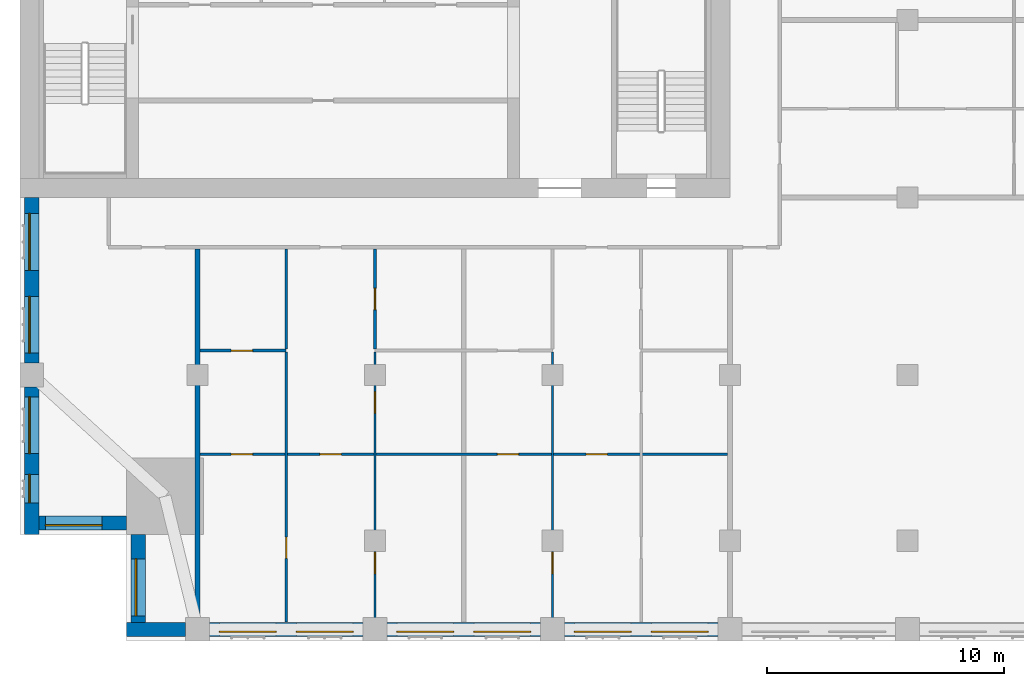
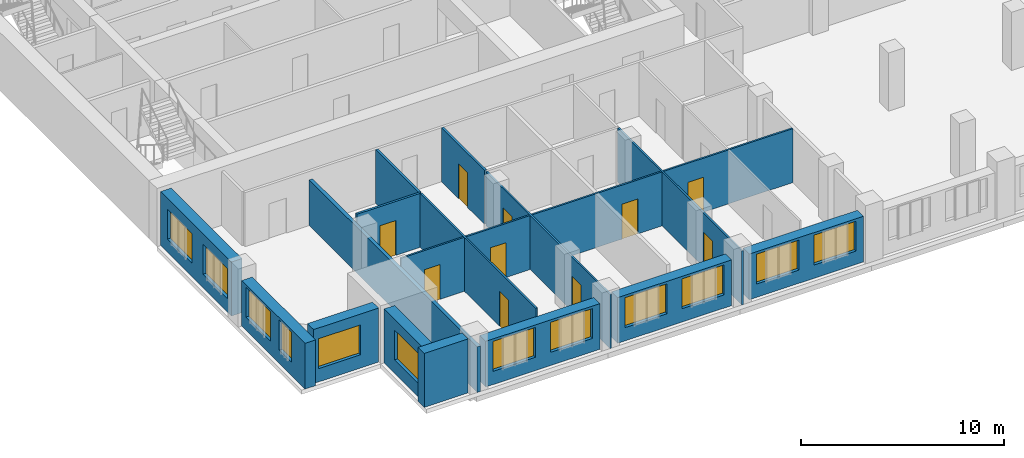
# One storey, part 6 of 14: 16 walls, 12 windows, 10 doors, 22 openings.
"""IFC4 building model written with IfcOpenShell, lengths in metres."""

import ifcopenshell
import ifcopenshell.guid

model = None  # the IFC model being written
_history = None  # IfcOwnerHistory: only IFC2X3 demands one
_inside = {}  # id of a spatial element -> (the spatial element, [elements in it])
_under = {}  # id of a project, library or spatial element -> (it, [spatial elements below it])
_declared = {}  # id of a project -> (the project, [libraries it declares])
_typed = {}  # id of a type object -> (the type object, [elements of that type])
_made_of = {}  # id of a material, layer set ... -> (it, [elements and type objects made of it])


def new_model(schema):
    """Start an empty IFC model of exactly this schema.

    Asked for "IFC4X3", IfcOpenShell would pick the latest addendum, in which some entities
    have other attributes; the version numbers below select the first issue.
    IFC2X3 requires an IfcOwnerHistory on every rooted entity: one is made here for all.
    """
    global model, _history
    if schema == "IFC4X3":
        model = ifcopenshell.file(schema_version=(4, 3, 0, 0))
    else:
        model = ifcopenshell.file(schema=schema)
    _inside.clear()
    _under.clear()
    _declared.clear()
    _typed.clear()
    _made_of.clear()
    _history = None
    if model.schema == "IFC2X3":
        org = make("IfcOrganization", Name="unknown")
        user = make(
            "IfcPersonAndOrganization",
            ThePerson=make("IfcPerson", FamilyName="unknown"),
            TheOrganization=org,
        )
        app = make(
            "IfcApplication",
            ApplicationDeveloper=org,
            Version="unknown",
            ApplicationFullName="unknown",
            ApplicationIdentifier="unknown",
        )
        _history = make(
            "IfcOwnerHistory",
            OwningUser=user,
            OwningApplication=app,
            ChangeAction="ADDED",
            CreationDate=0,
        )
    return model


def make(cls, **values):
    """One entity of the class cls with the attributes given. An attribute that is None is left unset."""
    return model.create_entity(
        cls, **{name: value for name, value in values.items() if value is not None}
    )


def rooted(cls, **values):
    """An entity with a GlobalId (a new one), such as an element, a storey or a relation."""
    return make(cls, GlobalId=ifcopenshell.guid.new(), OwnerHistory=_history, **values)


def si_unit(unit_type, name, prefix=None):
    """IfcSIUnit, for example si_unit("LENGTHUNIT", "METRE", prefix="MILLI")."""
    return make("IfcSIUnit", UnitType=unit_type, Prefix=prefix, Name=name)


def assignment(units):
    """IfcUnitAssignment: the units of a project."""
    return None if units is None else make("IfcUnitAssignment", Units=units)


def point(xyz):
    """IfcCartesianPoint."""
    return None if xyz is None else make("IfcCartesianPoint", Coordinates=xyz)


def direction(xyz):
    """IfcDirection."""
    return None if xyz is None else make("IfcDirection", DirectionRatios=xyz)


def frame(location, z_axis=None, x_axis=None):
    """IfcAxis2Placement3D, a coordinate frame: its origin and axes. An axis left out is left unset."""
    return make(
        "IfcAxis2Placement3D",
        Location=point(location),
        Axis=direction(z_axis),
        RefDirection=direction(x_axis),
    )


def frame_2d(location, x_axis=None):
    """IfcAxis2Placement2D, a coordinate frame in the plane: its origin and x axis."""
    return make(
        "IfcAxis2Placement2D", Location=point(location), RefDirection=direction(x_axis)
    )


def origin():
    """The frame at (0, 0, 0) with its axes left unset."""
    return frame((0.0, 0.0, 0.0))


def place(relative_to, where):
    """IfcLocalPlacement: puts the frame where relative to a parent placement (None: the world)."""
    return make(
        "IfcLocalPlacement", PlacementRelTo=relative_to, RelativePlacement=where
    )


def context(
    kind, dimensions, precision=None, world=None, true_north=None, identifier=None
):
    """IfcGeometricRepresentationContext, for example the 3D "Model" context."""
    return make(
        "IfcGeometricRepresentationContext",
        ContextIdentifier=identifier,
        ContextType=kind,
        CoordinateSpaceDimension=dimensions,
        Precision=precision,
        WorldCoordinateSystem=world,
        TrueNorth=true_north,
    )


def subcontext(parent, identifier, kind, view, scale=None):
    """IfcGeometricRepresentationSubContext, for example "Body" below "Model"."""
    return make(
        "IfcGeometricRepresentationSubContext",
        ContextIdentifier=identifier,
        ContextType=kind,
        ParentContext=parent,
        TargetScale=scale,
        TargetView=view,
    )


def project(units=None, contexts=None):
    """IfcProject with its units and contexts."""
    return rooted(
        "IfcProject",
        Name="project",
        RepresentationContexts=contexts,
        UnitsInContext=assignment(units),
    )


def spatial(cls, under=None, at=None, **own):
    """A site, building, storey or space (cls), placed at a placement, below another one or the project."""
    s = rooted(cls, ObjectPlacement=at, **own)
    if under is not None:
        _under.setdefault(under.id(), (under, []))[1].append(s)
    return s


def profile(cls, at=None, kind="AREA", **sizes):
    """A parametric profile (cls). Its sizes go by their IFC names, for example OverallWidth=200.0."""
    return make(cls, ProfileType=kind, Position=at, **sizes)


def rectangle(**sizes):
    """IfcRectangleProfileDef."""
    return profile("IfcRectangleProfileDef", **sizes)


def extrude(swept, where, along, depth):
    """IfcExtrudedAreaSolid: the profile swept, set in the frame where, extruded along a direction by depth."""
    return make(
        "IfcExtrudedAreaSolid",
        SweptArea=swept,
        Position=where,
        ExtrudedDirection=direction(along),
        Depth=depth,
    )


def shape(context_of_items, identifier, shape_type, items):
    """IfcShapeRepresentation: the items that make up one representation, for example the "Body"."""
    return make(
        "IfcShapeRepresentation",
        ContextOfItems=context_of_items,
        RepresentationIdentifier=identifier,
        RepresentationType=shape_type,
        Items=items,
    )


def material(Name=None, Category=None):
    """IfcMaterial."""
    return make("IfcMaterial", Name=Name, Category=Category)


def layer(
    of_material, thickness, ventilated=None, Name=None, Category=None, Priority=None
):
    """IfcMaterialLayer: one layer of a wall or slab, of a material (None: an air gap)."""
    return make(
        "IfcMaterialLayer",
        Material=of_material,
        LayerThickness=thickness,
        IsVentilated=ventilated,
        Name=Name,
        Category=Category,
        Priority=Priority,
    )


def layer_set(layers, Name=None):
    """IfcMaterialLayerSet."""
    return make("IfcMaterialLayerSet", MaterialLayers=layers, LayerSetName=Name)


def made_of(thing, what):
    """Note that an element or type object is made of a material, layer set ...; save() writes the relation."""
    if what is not None:
        _made_of.setdefault(what.id(), (what, []))[1].append(thing)
    return thing


def type_object(cls, material=None, **own):
    """A type object (cls), such as IfcWallType, which elements share."""
    return made_of(rooted(cls, **own), material)


def element(
    cls,
    number,
    at=None,
    inside=None,
    cuts=None,
    type_object=None,
    material=None,
    context=None,
    identifier="Body",
    shape_type=None,
    held_by="IfcProductDefinitionShape",
    body=None,
    shapes=None,
    **own,
):
    """One element of the class cls, such as IfcWall. Its Tag is "e" and its number.

    at: its placement. inside: the storey or other place that contains it. cuts: it is an
    opening in that element (IfcRelVoidsElement). A single representation is given by context,
    identifier, shape_type and body (its items); several are given by shapes. held_by: the class
    of the entity that holds the representations. save() writes the other relations.
    """
    e = rooted(cls, Tag="e%d" % number, ObjectPlacement=at, **own)
    if body is not None:
        shapes = [shape(context, identifier, shape_type, body)]
    if shapes is not None:
        e.Representation = make(held_by, Representations=shapes)
    if inside is not None:
        _inside.setdefault(inside.id(), (inside, []))[1].append(e)
    if cuts is not None:
        rooted(
            "IfcRelVoidsElement", RelatingBuildingElement=cuts, RelatedOpeningElement=e
        )
    if type_object is not None:
        _typed.setdefault(type_object.id(), (type_object, []))[1].append(e)
    return made_of(e, material)


def fill(opening, filler):
    """IfcRelFillsElement: the door or window that sits in an opening."""
    return rooted(
        "IfcRelFillsElement",
        RelatingOpeningElement=opening,
        RelatedBuildingElement=filler,
    )


def aggregate(whole, parts):
    """IfcRelAggregates: a whole, such as a stair, and the parts it consists of."""
    return rooted("IfcRelAggregates", RelatingObject=whole, RelatedObjects=parts)


def save(model, path):
    """Write the relations noted so far, then the file.

    IfcRelAggregates (storeys below a building ...), IfcRelContainedInSpatialStructure (elements
    in a storey), IfcRelDefinesByType, IfcRelAssociatesMaterial and IfcRelDeclares: one each for
    every whole, place, type object, material and project.
    """
    for whole, parts in _under.values():
        aggregate(whole, parts)
    for where, things in _inside.values():
        rooted(
            "IfcRelContainedInSpatialStructure",
            RelatedElements=things,
            RelatingStructure=where,
        )
    for kind, things in _typed.values():
        rooted("IfcRelDefinesByType", RelatedObjects=things, RelatingType=kind)
    for what, things in _made_of.values():
        rooted("IfcRelAssociatesMaterial", RelatedObjects=things, RelatingMaterial=what)
    for by, libraries in _declared.values():
        rooted("IfcRelDeclares", RelatingContext=by, RelatedDefinitions=libraries)
    model.write(path)


model = new_model("IFC4")

# Units and contexts
model_context = context("Model", 3, precision=1e-05, world=origin(), true_north=direction((0.0, 1.0)))
body_context = subcontext(model_context, "Body", "Model", "MODEL_VIEW")
ifc_project = project(units=[si_unit("LENGTHUNIT", "METRE"), si_unit("AREAUNIT", "SQUARE_METRE"), si_unit("VOLUMEUNIT", "CUBIC_METRE"), si_unit("PLANEANGLEUNIT", "RADIAN"), si_unit("MASSUNIT", "GRAM", prefix="KILO")], contexts=[model_context])

# Site, building, storey
site_placement = place(None, origin())
site = spatial("IfcSite", under=ifc_project, at=site_placement, CompositionType="ELEMENT")
building_placement = place(site_placement, origin())
building = spatial("IfcBuilding", under=site, at=building_placement, Name="Tamorin Gate", CompositionType="ELEMENT")
storey_placement = place(building_placement, frame((0.0, 0.0, 182.699951171875)))
storey = spatial("IfcBuildingStorey", under=building, at=storey_placement, Name="L44", CompositionType="ELEMENT", Elevation=182.699951171875)

# Wall
ifc_material_1 = material(Name="Precast concrete C40/50", Category="concrete")
ifc_layer_1 = layer(ifc_material_1, 0.60009765625)
ifc_layer_set_1 = layer_set([ifc_layer_1], Name="Precast concrete C40/50")
wall_type_1 = type_object("IfcWallType", Name="Board-marked concrete facade panel 600", PredefinedType="SOLIDWALL", material=ifc_layer_set_1)
wall_1_placement = place(storey_placement, frame((34.5, 41.75, 0.0), z_axis=(0.0, 0.0, 1.0), x_axis=(1.0, 0.0, 0.0)))
element("IfcWall", 1, at=wall_1_placement, inside=storey, type_object=wall_type_1, Name="Facade panel", PredefinedType="SOLIDWALL", context=body_context, shape_type="SweptSolid", body=[
    extrude(rectangle(XDim=2.5, YDim=0.60009765625, at=frame_2d((1.25, 0.0))), origin(), (0.0, 0.0, 1.0), 3.25),
])

# Wall, openings, windows
wall_2_placement = place(storey_placement, frame((38.0, 41.75, 0.0), z_axis=(0.0, 0.0, 1.0), x_axis=(1.0, 0.0, 0.0)))
wall_2 = element("IfcWall", 2, at=wall_2_placement, inside=storey, type_object=wall_type_1, Name="Facade panel", PredefinedType="SOLIDWALL", context=body_context, shape_type="SweptSolid", body=[
    extrude(rectangle(XDim=6.5, YDim=0.60009765625, at=frame_2d((3.25, 0.0))), origin(), (0.0, 0.0, 1.0), 2.75),
])
opening_1_placement = place(wall_2_placement, frame((0.425048828125, 0.0, 0.800048828125)))
opening_1 = element("IfcOpeningElement", 3, at=opening_1_placement, cuts=wall_2, Name="Opening WN1", PredefinedType="OPENING", context=body_context, shape_type="SweptSolid", body=[
    extrude(rectangle(XDim=2.39990234375, YDim=1.800048828125, at=frame_2d((1.199951171875, 0.89990234375))), frame((0.0, 0.31005859375, 0.0), z_axis=(0.0, -1.0, 0.0), x_axis=(1.0, 0.0, 0.0)), (0.0, 0.0, 1.0), 0.6201171875),
])
opening_2_placement = place(wall_2_placement, frame((3.675048828125, 0.0, 0.800048828125)))
opening_2 = element("IfcOpeningElement", 4, at=opening_2_placement, cuts=wall_2, Name="Opening WN1", PredefinedType="OPENING", context=body_context, shape_type="SweptSolid", body=[
    extrude(rectangle(XDim=2.39990234375, YDim=1.800048828125, at=frame_2d((1.199951171875, 0.89990234375))), frame((0.0, 0.31005859375, 0.0), z_axis=(0.0, -1.0, 0.0), x_axis=(1.0, 0.0, 0.0)), (0.0, 0.0, 1.0), 0.6201171875),
])
ifc_material_2 = material(Name="Clear glass in aluminium frame", Category="aluminium")
window_type_1 = type_object("IfcWindowType", Name="Deep-set window 2400x1800", PartitioningType="SINGLE_PANEL", PredefinedType="WINDOW", material=ifc_material_2)
window_1_placement = place(opening_1_placement, origin())
window_1 = element("IfcWindow", 5, at=window_1_placement, inside=storey, type_object=window_type_1, Name="Deep-set window", OverallHeight=1.800048828125, OverallWidth=2.39990234375, PartitioningType="SINGLE_PANEL", PredefinedType="WINDOW", context=body_context, shape_type="SweptSolid", body=[
    extrude(rectangle(XDim=2.39990234375, YDim=1.800048828125, at=frame_2d((1.199951171875, 0.89990234375))), frame((0.0, -0.070068359375, 0.0), z_axis=(0.0, -1.0, 0.0), x_axis=(1.0, 0.0, 0.0)), (0.0, 0.0, 1.0), 0.06005859375),
])
fill(opening_1, window_1)
window_2_placement = place(opening_2_placement, origin())
window_2 = element("IfcWindow", 6, at=window_2_placement, inside=storey, type_object=window_type_1, Name="Deep-set window", OverallHeight=1.800048828125, OverallWidth=2.39990234375, PartitioningType="SINGLE_PANEL", PredefinedType="WINDOW", context=body_context, shape_type="SweptSolid", body=[
    extrude(rectangle(XDim=2.39990234375, YDim=1.800048828125, at=frame_2d((1.199951171875, 0.89990234375))), frame((0.0, -0.070068359375, 0.0), z_axis=(0.0, -1.0, 0.0), x_axis=(1.0, 0.0, 0.0)), (0.0, 0.0, 1.0), 0.06005859375),
])
fill(opening_2, window_2)

wall_3_placement = place(storey_placement, frame((45.5, 41.75, 0.0), z_axis=(0.0, 0.0, 1.0), x_axis=(1.0, 0.0, 0.0)))
wall_3 = element("IfcWall", 7, at=wall_3_placement, inside=storey, type_object=wall_type_1, Name="Facade panel", PredefinedType="SOLIDWALL", context=body_context, shape_type="SweptSolid", body=[
    extrude(rectangle(XDim=6.5, YDim=0.60009765625, at=frame_2d((3.25, 0.0))), origin(), (0.0, 0.0, 1.0), 2.75),
])
opening_3_placement = place(wall_3_placement, frame((0.425048828125, 0.0, 0.800048828125)))
opening_3 = element("IfcOpeningElement", 8, at=opening_3_placement, cuts=wall_3, Name="Opening WN1", PredefinedType="OPENING", context=body_context, shape_type="SweptSolid", body=[
    extrude(rectangle(XDim=2.39990234375, YDim=1.800048828125, at=frame_2d((1.199951171875, 0.89990234375))), frame((0.0, 0.31005859375, 0.0), z_axis=(0.0, -1.0, 0.0), x_axis=(1.0, 0.0, 0.0)), (0.0, 0.0, 1.0), 0.6201171875),
])
opening_4_placement = place(wall_3_placement, frame((3.675048828125, 0.0, 0.800048828125)))
opening_4 = element("IfcOpeningElement", 9, at=opening_4_placement, cuts=wall_3, Name="Opening WN1", PredefinedType="OPENING", context=body_context, shape_type="SweptSolid", body=[
    extrude(rectangle(XDim=2.39990234375, YDim=1.800048828125, at=frame_2d((1.199951171875, 0.89990234375))), frame((0.0, 0.31005859375, 0.0), z_axis=(0.0, -1.0, 0.0), x_axis=(1.0, 0.0, 0.0)), (0.0, 0.0, 1.0), 0.6201171875),
])
window_3_placement = place(opening_3_placement, origin())
window_3 = element("IfcWindow", 10, at=window_3_placement, inside=storey, type_object=window_type_1, Name="Deep-set window", OverallHeight=1.800048828125, OverallWidth=2.39990234375, PartitioningType="SINGLE_PANEL", PredefinedType="WINDOW", context=body_context, shape_type="SweptSolid", body=[
    extrude(rectangle(XDim=2.39990234375, YDim=1.800048828125, at=frame_2d((1.199951171875, 0.89990234375))), frame((0.0, -0.070068359375, 0.0), z_axis=(0.0, -1.0, 0.0), x_axis=(1.0, 0.0, 0.0)), (0.0, 0.0, 1.0), 0.06005859375),
])
fill(opening_3, window_3)
window_4_placement = place(opening_4_placement, origin())
window_4 = element("IfcWindow", 11, at=window_4_placement, inside=storey, type_object=window_type_1, Name="Deep-set window", OverallHeight=1.800048828125, OverallWidth=2.39990234375, PartitioningType="SINGLE_PANEL", PredefinedType="WINDOW", context=body_context, shape_type="SweptSolid", body=[
    extrude(rectangle(XDim=2.39990234375, YDim=1.800048828125, at=frame_2d((1.199951171875, 0.89990234375))), frame((0.0, -0.070068359375, 0.0), z_axis=(0.0, -1.0, 0.0), x_axis=(1.0, 0.0, 0.0)), (0.0, 0.0, 1.0), 0.06005859375),
])
fill(opening_4, window_4)

wall_4_placement = place(storey_placement, frame((53.0, 41.75, 0.0), z_axis=(0.0, 0.0, 1.0), x_axis=(1.0, 0.0, 0.0)))
wall_4 = element("IfcWall", 12, at=wall_4_placement, inside=storey, type_object=wall_type_1, Name="Facade panel", PredefinedType="SOLIDWALL", context=body_context, shape_type="SweptSolid", body=[
    extrude(rectangle(XDim=6.5, YDim=0.60009765625, at=frame_2d((3.25, 0.0))), origin(), (0.0, 0.0, 1.0), 2.75),
])
opening_5_placement = place(wall_4_placement, frame((0.425048828125, 0.0, 0.800048828125)))
opening_5 = element("IfcOpeningElement", 13, at=opening_5_placement, cuts=wall_4, Name="Opening WN1", PredefinedType="OPENING", context=body_context, shape_type="SweptSolid", body=[
    extrude(rectangle(XDim=2.39990234375, YDim=1.800048828125, at=frame_2d((1.199951171875, 0.89990234375))), frame((0.0, 0.31005859375, 0.0), z_axis=(0.0, -1.0, 0.0), x_axis=(1.0, 0.0, 0.0)), (0.0, 0.0, 1.0), 0.6201171875),
])
opening_6_placement = place(wall_4_placement, frame((3.675048828125, 0.0, 0.800048828125)))
opening_6 = element("IfcOpeningElement", 14, at=opening_6_placement, cuts=wall_4, Name="Opening WN1", PredefinedType="OPENING", context=body_context, shape_type="SweptSolid", body=[
    extrude(rectangle(XDim=2.39990234375, YDim=1.800048828125, at=frame_2d((1.199951171875, 0.89990234375))), frame((0.0, 0.31005859375, 0.0), z_axis=(0.0, -1.0, 0.0), x_axis=(1.0, 0.0, 0.0)), (0.0, 0.0, 1.0), 0.6201171875),
])
window_5_placement = place(opening_5_placement, origin())
window_5 = element("IfcWindow", 15, at=window_5_placement, inside=storey, type_object=window_type_1, Name="Deep-set window", OverallHeight=1.800048828125, OverallWidth=2.39990234375, PartitioningType="SINGLE_PANEL", PredefinedType="WINDOW", context=body_context, shape_type="SweptSolid", body=[
    extrude(rectangle(XDim=2.39990234375, YDim=1.800048828125, at=frame_2d((1.199951171875, 0.89990234375))), frame((0.0, -0.070068359375, 0.0), z_axis=(0.0, -1.0, 0.0), x_axis=(1.0, 0.0, 0.0)), (0.0, 0.0, 1.0), 0.06005859375),
])
fill(opening_5, window_5)
window_6_placement = place(opening_6_placement, origin())
window_6 = element("IfcWindow", 16, at=window_6_placement, inside=storey, type_object=window_type_1, Name="Deep-set window", OverallHeight=1.800048828125, OverallWidth=2.39990234375, PartitioningType="SINGLE_PANEL", PredefinedType="WINDOW", context=body_context, shape_type="SweptSolid", body=[
    extrude(rectangle(XDim=2.39990234375, YDim=1.800048828125, at=frame_2d((1.199951171875, 0.89990234375))), frame((0.0, -0.070068359375, 0.0), z_axis=(0.0, -1.0, 0.0), x_axis=(1.0, 0.0, 0.0)), (0.0, 0.0, 1.0), 0.06005859375),
])
fill(opening_6, window_6)

wall_5_placement = place(storey_placement, frame((30.5, 60.0, 0.0), z_axis=(0.0, 0.0, 1.0), x_axis=(0.0, -1.0, 0.0)))
wall_5 = element("IfcWall", 17, at=wall_5_placement, inside=storey, type_object=wall_type_1, Name="Facade panel", PredefinedType="SOLIDWALL", context=body_context, shape_type="SweptSolid", body=[
    extrude(rectangle(XDim=7.0, YDim=0.60009765625, at=frame_2d((3.5, 0.0))), origin(), (0.0, 0.0, 1.0), 3.25),
])
opening_7_placement = place(wall_5_placement, frame((4.175048828125, 0.0, 0.800048828125)))
opening_7 = element("IfcOpeningElement", 18, at=opening_7_placement, cuts=wall_5, Name="Opening WN1", PredefinedType="OPENING", context=body_context, shape_type="SweptSolid", body=[
    extrude(rectangle(XDim=2.39990234375, YDim=1.800048828125, at=frame_2d((1.199951171875, 0.89990234375))), frame((0.0, 0.31005859375, 0.0), z_axis=(0.0, -1.0, 0.0), x_axis=(1.0, 0.0, 0.0)), (0.0, 0.0, 1.0), 0.6201171875),
])
opening_8_placement = place(wall_5_placement, frame((0.675048828125, 0.0, 0.800048828125)))
opening_8 = element("IfcOpeningElement", 19, at=opening_8_placement, cuts=wall_5, Name="Opening WN1", PredefinedType="OPENING", context=body_context, shape_type="SweptSolid", body=[
    extrude(rectangle(XDim=2.39990234375, YDim=1.800048828125, at=frame_2d((1.199951171875, 0.89990234375))), frame((0.0, 0.31005859375, 0.0), z_axis=(0.0, -1.0, 0.0), x_axis=(1.0, 0.0, 0.0)), (0.0, 0.0, 1.0), 0.6201171875),
])
window_7_placement = place(opening_7_placement, origin())
window_7 = element("IfcWindow", 20, at=window_7_placement, inside=storey, type_object=window_type_1, Name="Deep-set window", OverallHeight=1.800048828125, OverallWidth=2.39990234375, PartitioningType="SINGLE_PANEL", PredefinedType="WINDOW", context=body_context, shape_type="SweptSolid", body=[
    extrude(rectangle(XDim=2.39990234375, YDim=1.800048828125, at=frame_2d((1.199951171875, 0.89990234375))), frame((0.0, -0.070068359375, 0.0), z_axis=(0.0, -1.0, 0.0), x_axis=(1.0, 0.0, 0.0)), (0.0, 0.0, 1.0), 0.06005859375),
])
fill(opening_7, window_7)
window_8_placement = place(opening_8_placement, origin())
window_8 = element("IfcWindow", 21, at=window_8_placement, inside=storey, type_object=window_type_1, Name="Deep-set window", OverallHeight=1.800048828125, OverallWidth=2.39990234375, PartitioningType="SINGLE_PANEL", PredefinedType="WINDOW", context=body_context, shape_type="SweptSolid", body=[
    extrude(rectangle(XDim=2.39990234375, YDim=1.800048828125, at=frame_2d((1.199951171875, 0.89990234375))), frame((0.0, -0.070068359375, 0.0), z_axis=(0.0, -1.0, 0.0), x_axis=(1.0, 0.0, 0.0)), (0.0, 0.0, 1.0), 0.06005859375),
])
fill(opening_8, window_8)

wall_6_placement = place(storey_placement, frame((30.5, 52.0, 0.0), z_axis=(0.0, 0.0, 1.0), x_axis=(0.0, -1.0, 0.0)))
wall_6 = element("IfcWall", 22, at=wall_6_placement, inside=storey, type_object=wall_type_1, Name="Facade panel", PredefinedType="SOLIDWALL", context=body_context, shape_type="SweptSolid", body=[
    extrude(rectangle(XDim=6.25, YDim=0.60009765625, at=frame_2d((3.125, 0.0))), origin(), (0.0, 0.0, 1.0), 2.75),
])
opening_9_placement = place(wall_6_placement, frame((3.699951171875, 0.0, 0.800048828125)))
opening_9 = element("IfcOpeningElement", 23, at=opening_9_placement, cuts=wall_6, Name="Opening WN3", PredefinedType="OPENING", context=body_context, shape_type="SweptSolid", body=[
    extrude(rectangle(XDim=1.199951171875, YDim=1.800048828125, at=frame_2d((0.60009765625, 0.89990234375))), frame((0.0, 0.31005859375, 0.0), z_axis=(0.0, -1.0, 0.0), x_axis=(1.0, 0.0, 0.0)), (0.0, 0.0, 1.0), 0.6201171875),
])
opening_10_placement = place(wall_6_placement, frame((0.425048828125, 0.0, 0.800048828125)))
opening_10 = element("IfcOpeningElement", 24, at=opening_10_placement, cuts=wall_6, Name="Opening WN1", PredefinedType="OPENING", context=body_context, shape_type="SweptSolid", body=[
    extrude(rectangle(XDim=2.39990234375, YDim=1.800048828125, at=frame_2d((1.199951171875, 0.89990234375))), frame((0.0, 0.31005859375, 0.0), z_axis=(0.0, -1.0, 0.0), x_axis=(1.0, 0.0, 0.0)), (0.0, 0.0, 1.0), 0.6201171875),
])
window_type_2 = type_object("IfcWindowType", Name="Deep-set window 1200x1800", PartitioningType="SINGLE_PANEL", PredefinedType="WINDOW", material=ifc_material_2)
window_9_placement = place(opening_9_placement, origin())
window_9 = element("IfcWindow", 25, at=window_9_placement, inside=storey, type_object=window_type_2, Name="Deep-set window", OverallHeight=1.800048828125, OverallWidth=1.199951171875, PartitioningType="SINGLE_PANEL", PredefinedType="WINDOW", context=body_context, shape_type="SweptSolid", body=[
    extrude(rectangle(XDim=1.199951171875, YDim=1.800048828125, at=frame_2d((0.60009765625, 0.89990234375))), frame((0.0, -0.070068359375, 0.0), z_axis=(0.0, -1.0, 0.0), x_axis=(1.0, 0.0, 0.0)), (0.0, 0.0, 1.0), 0.06005859375),
])
fill(opening_9, window_9)
window_10_placement = place(opening_10_placement, origin())
window_10 = element("IfcWindow", 26, at=window_10_placement, inside=storey, type_object=window_type_1, Name="Deep-set window", OverallHeight=1.800048828125, OverallWidth=2.39990234375, PartitioningType="SINGLE_PANEL", PredefinedType="WINDOW", context=body_context, shape_type="SweptSolid", body=[
    extrude(rectangle(XDim=2.39990234375, YDim=1.800048828125, at=frame_2d((1.199951171875, 0.89990234375))), frame((0.0, -0.070068359375, 0.0), z_axis=(0.0, -1.0, 0.0), x_axis=(1.0, 0.0, 0.0)), (0.0, 0.0, 1.0), 0.06005859375),
])
fill(opening_10, window_10)

# Wall, opening, window
wall_7_placement = place(storey_placement, frame((30.800048828125, 46.25, 0.0), z_axis=(0.0, 0.0, 1.0), x_axis=(1.0, 0.0, 0.0)))
wall_7 = element("IfcWall", 27, at=wall_7_placement, inside=storey, type_object=wall_type_1, Name="Facade panel", PredefinedType="SOLIDWALL", context=body_context, shape_type="SweptSolid", body=[
    extrude(rectangle(XDim=3.699951171875, YDim=0.60009765625, at=frame_2d((1.85009765625, 0.0))), origin(), (0.0, 0.0, 1.0), 3.25),
])
opening_11_placement = place(wall_7_placement, frame((0.27490234375, 0.0, 0.800048828125)))
opening_11 = element("IfcOpeningElement", 28, at=opening_11_placement, cuts=wall_7, Name="Opening WN1", PredefinedType="OPENING", context=body_context, shape_type="SweptSolid", body=[
    extrude(rectangle(XDim=2.39990234375, YDim=1.800048828125, at=frame_2d((1.199951171875, 0.89990234375))), frame((0.0, 0.31005859375, 0.0), z_axis=(0.0, -1.0, 0.0), x_axis=(1.0, 0.0, 0.0)), (0.0, 0.0, 1.0), 0.6201171875),
])
window_11_placement = place(opening_11_placement, origin())
window_11 = element("IfcWindow", 29, at=window_11_placement, inside=storey, type_object=window_type_1, Name="Deep-set window", OverallHeight=1.800048828125, OverallWidth=2.39990234375, PartitioningType="SINGLE_PANEL", PredefinedType="WINDOW", context=body_context, shape_type="SweptSolid", body=[
    extrude(rectangle(XDim=2.39990234375, YDim=1.800048828125, at=frame_2d((1.199951171875, 0.89990234375))), frame((0.0, -0.070068359375, 0.0), z_axis=(0.0, -1.0, 0.0), x_axis=(1.0, 0.0, 0.0)), (0.0, 0.0, 1.0), 0.06005859375),
])
fill(opening_11, window_11)

wall_8_placement = place(storey_placement, frame((35.0, 45.75, 0.0), z_axis=(0.0, 0.0, 1.0), x_axis=(0.0, -1.0, 0.0)))
wall_8 = element("IfcWall", 30, at=wall_8_placement, inside=storey, type_object=wall_type_1, Name="Facade panel", PredefinedType="SOLIDWALL", context=body_context, shape_type="SweptSolid", body=[
    extrude(rectangle(XDim=3.699951171875, YDim=0.60009765625, at=frame_2d((1.85009765625, 0.0))), origin(), (0.0, 0.0, 1.0), 3.25),
])
opening_12_placement = place(wall_8_placement, frame((1.02490234375, 0.0, 0.800048828125)))
opening_12 = element("IfcOpeningElement", 31, at=opening_12_placement, cuts=wall_8, Name="Opening WN1", PredefinedType="OPENING", context=body_context, shape_type="SweptSolid", body=[
    extrude(rectangle(XDim=2.39990234375, YDim=1.800048828125, at=frame_2d((1.199951171875, 0.89990234375))), frame((0.0, 0.31005859375, 0.0), z_axis=(0.0, -1.0, 0.0), x_axis=(1.0, 0.0, 0.0)), (0.0, 0.0, 1.0), 0.6201171875),
])
window_12_placement = place(opening_12_placement, origin())
window_12 = element("IfcWindow", 32, at=window_12_placement, inside=storey, type_object=window_type_1, Name="Deep-set window", OverallHeight=1.800048828125, OverallWidth=2.39990234375, PartitioningType="SINGLE_PANEL", PredefinedType="WINDOW", context=body_context, shape_type="SweptSolid", body=[
    extrude(rectangle(XDim=2.39990234375, YDim=1.800048828125, at=frame_2d((1.199951171875, 0.89990234375))), frame((0.0, -0.070068359375, 0.0), z_axis=(0.0, -1.0, 0.0), x_axis=(1.0, 0.0, 0.0)), (0.0, 0.0, 1.0), 0.06005859375),
])
fill(opening_12, window_12)

# Wall
ifc_material_3 = material(Name="Gypsum board partition")
ifc_layer_2 = layer(ifc_material_3, 0.199951171875)
ifc_layer_set_2 = layer_set([ifc_layer_2], Name="Demising wall 200")
wall_type_2 = type_object("IfcWallType", Name="Demising wall 200", PredefinedType="PARTITIONING", material=ifc_layer_set_2)
wall_9_placement = place(storey_placement, frame((37.5, 41.25, 0.0), z_axis=(0.0, 0.0, 1.0), x_axis=(0.0, 1.0, 0.0)))
element("IfcWall", 33, at=wall_9_placement, inside=storey, type_object=wall_type_2, Name="Demising wall 200", PredefinedType="PARTITIONING", context=body_context, shape_type="SweptSolid", body=[
    extrude(rectangle(XDim=16.574951171875, YDim=0.199951171875, at=frame_2d((8.28759765625, 0.0))), origin(), (0.0, 0.0, 1.0), 2.75),
])

# Wall, openings, doors
ifc_layer_3 = layer(ifc_material_3, 0.10009765625)
ifc_layer_set_3 = layer_set([ifc_layer_3], Name="Room partition 100")
wall_type_3 = type_object("IfcWallType", Name="Room partition 100", PredefinedType="PARTITIONING", material=ifc_layer_set_3)
wall_10_placement = place(storey_placement, frame((37.60009765625, 49.14990234375, 0.0), z_axis=(0.0, 0.0, 1.0), x_axis=(1.0, 0.0, 0.0)))
wall_10 = element("IfcWall", 34, at=wall_10_placement, inside=storey, type_object=wall_type_3, Name="Room partition 100", PredefinedType="PARTITIONING", context=body_context, shape_type="SweptSolid", body=[
    extrude(rectangle(XDim=22.2998046875, YDim=0.10009765625, at=frame_2d((11.14990234375, 0.0))), origin(), (0.0, 0.0, 1.0), 3.25),
])
opening_13_placement = place(wall_10_placement, frame((1.324951171875, 0.0, 0.0)))
opening_13 = element("IfcOpeningElement", 35, at=opening_13_placement, cuts=wall_10, Name="Opening DR2002", PredefinedType="OPENING", context=body_context, shape_type="SweptSolid", body=[
    extrude(rectangle(XDim=0.89990234375, YDim=2.10009765625, at=frame_2d((0.449951171875, 1.050048828125))), frame((0.0, 0.06005859375, 0.0), z_axis=(0.0, -1.0, 0.0), x_axis=(1.0, 0.0, 0.0)), (0.0, 0.0, 1.0), 0.1201171875),
])
opening_14_placement = place(wall_10_placement, frame((5.074951171875, 0.0, 0.0)))
opening_14 = element("IfcOpeningElement", 36, at=opening_14_placement, cuts=wall_10, Name="Opening DR2005", PredefinedType="OPENING", context=body_context, shape_type="SweptSolid", body=[
    extrude(rectangle(XDim=0.89990234375, YDim=2.10009765625, at=frame_2d((0.449951171875, 1.050048828125))), frame((0.0, 0.06005859375, 0.0), z_axis=(0.0, -1.0, 0.0), x_axis=(1.0, 0.0, 0.0)), (0.0, 0.0, 1.0), 0.1201171875),
])
opening_15_placement = place(wall_10_placement, frame((12.574951171875, 0.0, 0.0)))
opening_15 = element("IfcOpeningElement", 37, at=opening_15_placement, cuts=wall_10, Name="Opening DR2010", PredefinedType="OPENING", context=body_context, shape_type="SweptSolid", body=[
    extrude(rectangle(XDim=0.89990234375, YDim=2.10009765625, at=frame_2d((0.449951171875, 1.050048828125))), frame((0.0, 0.06005859375, 0.0), z_axis=(0.0, -1.0, 0.0), x_axis=(1.0, 0.0, 0.0)), (0.0, 0.0, 1.0), 0.1201171875),
])
opening_16_placement = place(wall_10_placement, frame((16.324951171875, 0.0, 0.0)))
opening_16 = element("IfcOpeningElement", 38, at=opening_16_placement, cuts=wall_10, Name="Opening DR2013", PredefinedType="OPENING", context=body_context, shape_type="SweptSolid", body=[
    extrude(rectangle(XDim=0.89990234375, YDim=2.10009765625, at=frame_2d((0.449951171875, 1.050048828125))), frame((0.0, 0.06005859375, 0.0), z_axis=(0.0, -1.0, 0.0), x_axis=(1.0, 0.0, 0.0)), (0.0, 0.0, 1.0), 0.1201171875),
])
ifc_material_4 = material(Name="Timber door leaf", Category="wood")
door_type = type_object("IfcDoorType", Name="Door 900 x 2100", OperationType="NOTDEFINED", PredefinedType="DOOR", material=ifc_material_4)
door_1_placement = place(opening_13_placement, origin())
door_1 = element("IfcDoor", 39, at=door_1_placement, inside=storey, type_object=door_type, Name="Door DR2002", OperationType="SINGLE_SWING_LEFT", OverallHeight=2.10009765625, OverallWidth=0.89990234375, PredefinedType="DOOR", context=body_context, shape_type="SweptSolid", body=[
    extrude(rectangle(XDim=0.89990234375, YDim=2.10009765625, at=frame_2d((0.449951171875, 1.050048828125))), frame((0.0, 0.02490234375, 0.0), z_axis=(0.0, -1.0, 0.0), x_axis=(1.0, 0.0, 0.0)), (0.0, 0.0, 1.0), 0.050048828125),
])
fill(opening_13, door_1)
door_2_placement = place(opening_14_placement, origin())
door_2 = element("IfcDoor", 40, at=door_2_placement, inside=storey, type_object=door_type, Name="Door DR2005", OperationType="SINGLE_SWING_LEFT", OverallHeight=2.10009765625, OverallWidth=0.89990234375, PredefinedType="DOOR", context=body_context, shape_type="SweptSolid", body=[
    extrude(rectangle(XDim=0.89990234375, YDim=2.10009765625, at=frame_2d((0.449951171875, 1.050048828125))), frame((0.0, 0.02490234375, 0.0), z_axis=(0.0, -1.0, 0.0), x_axis=(1.0, 0.0, 0.0)), (0.0, 0.0, 1.0), 0.050048828125),
])
fill(opening_14, door_2)
door_3_placement = place(opening_15_placement, origin())
door_3 = element("IfcDoor", 41, at=door_3_placement, inside=storey, type_object=door_type, Name="Door DR2010", OperationType="SINGLE_SWING_LEFT", OverallHeight=2.10009765625, OverallWidth=0.89990234375, PredefinedType="DOOR", context=body_context, shape_type="SweptSolid", body=[
    extrude(rectangle(XDim=0.89990234375, YDim=2.10009765625, at=frame_2d((0.449951171875, 1.050048828125))), frame((0.0, 0.02490234375, 0.0), z_axis=(0.0, -1.0, 0.0), x_axis=(1.0, 0.0, 0.0)), (0.0, 0.0, 1.0), 0.050048828125),
])
fill(opening_15, door_3)
door_4_placement = place(opening_16_placement, origin())
door_4 = element("IfcDoor", 42, at=door_4_placement, inside=storey, type_object=door_type, Name="Door DR2013", OperationType="SINGLE_SWING_LEFT", OverallHeight=2.10009765625, OverallWidth=0.89990234375, PredefinedType="DOOR", context=body_context, shape_type="SweptSolid", body=[
    extrude(rectangle(XDim=0.89990234375, YDim=2.10009765625, at=frame_2d((0.449951171875, 1.050048828125))), frame((0.0, 0.02490234375, 0.0), z_axis=(0.0, -1.0, 0.0), x_axis=(1.0, 0.0, 0.0)), (0.0, 0.0, 1.0), 0.050048828125),
])
fill(opening_16, door_4)

# Wall, opening, door
wall_11_placement = place(storey_placement, frame((41.25, 42.06005859375, 0.0), z_axis=(0.0, 0.0, 1.0), x_axis=(0.0, 1.0, 0.0)))
wall_11 = element("IfcWall", 43, at=wall_11_placement, inside=storey, type_object=wall_type_3, Name="Room partition 100", PredefinedType="PARTITIONING", context=body_context, shape_type="SweptSolid", body=[
    extrude(rectangle(XDim=11.40234375, YDim=0.10009765625, at=frame_2d((5.701171875, 0.0))), origin(), (0.0, 0.0, 1.0), 3.25),
])
opening_17_placement = place(wall_11_placement, frame((2.68994140625, 0.0, 0.0)))
opening_17 = element("IfcOpeningElement", 44, at=opening_17_placement, cuts=wall_11, Name="Opening DR2008", PredefinedType="OPENING", context=body_context, shape_type="SweptSolid", body=[
    extrude(rectangle(XDim=0.89990234375, YDim=2.10009765625, at=frame_2d((0.449951171875, 1.050048828125))), frame((0.0, 0.06005859375, 0.0), z_axis=(0.0, -1.0, 0.0), x_axis=(1.0, 0.0, 0.0)), (0.0, 0.0, 1.0), 0.1201171875),
])
door_5_placement = place(opening_17_placement, origin())
door_5 = element("IfcDoor", 45, at=door_5_placement, inside=storey, type_object=door_type, Name="Door DR2008", OperationType="SINGLE_SWING_LEFT", OverallHeight=2.10009765625, OverallWidth=0.89990234375, PredefinedType="DOOR", context=body_context, shape_type="SweptSolid", body=[
    extrude(rectangle(XDim=0.89990234375, YDim=2.10009765625, at=frame_2d((0.449951171875, 1.050048828125))), frame((0.0, 0.02490234375, 0.0), z_axis=(0.0, -1.0, 0.0), x_axis=(1.0, 0.0, 0.0)), (0.0, 0.0, 1.0), 0.050048828125),
])
fill(opening_17, door_5)

# Wall, openings, doors
wall_12_placement = place(storey_placement, frame((45.0, 41.25, 0.0), z_axis=(0.0, 0.0, 1.0), x_axis=(0.0, 1.0, 0.0)))
wall_12 = element("IfcWall", 46, at=wall_12_placement, inside=storey, type_object=wall_type_3, Name="Room partition 100", PredefinedType="PARTITIONING", context=body_context, shape_type="SweptSolid", body=[
    extrude(rectangle(XDim=12.21240234375, YDim=0.10009765625, at=frame_2d((6.106201171875, 0.0))), origin(), (0.0, 0.0, 1.0), 3.25),
])
opening_18_placement = place(wall_12_placement, frame((9.637451171875, 0.0, 0.0)))
opening_18 = element("IfcOpeningElement", 47, at=opening_18_placement, cuts=wall_12, Name="Opening DR2006", PredefinedType="OPENING", context=body_context, shape_type="SweptSolid", body=[
    extrude(rectangle(XDim=0.89990234375, YDim=2.10009765625, at=frame_2d((0.449951171875, 1.050048828125))), frame((0.0, 0.06005859375, 0.0), z_axis=(0.0, -1.0, 0.0), x_axis=(1.0, 0.0, 0.0)), (0.0, 0.0, 1.0), 0.1201171875),
])
opening_19_placement = place(wall_12_placement, frame((2.85009765625, 0.0, 0.0)))
opening_19 = element("IfcOpeningElement", 48, at=opening_19_placement, cuts=wall_12, Name="Opening DR2009", PredefinedType="OPENING", context=body_context, shape_type="SweptSolid", body=[
    extrude(rectangle(XDim=0.89990234375, YDim=2.10009765625, at=frame_2d((0.449951171875, 1.050048828125))), frame((0.0, 0.06005859375, 0.0), z_axis=(0.0, -1.0, 0.0), x_axis=(1.0, 0.0, 0.0)), (0.0, 0.0, 1.0), 0.1201171875),
])
door_6_placement = place(opening_18_placement, origin())
door_6 = element("IfcDoor", 49, at=door_6_placement, inside=storey, type_object=door_type, Name="Door DR2006", OperationType="SINGLE_SWING_RIGHT", OverallHeight=2.10009765625, OverallWidth=0.89990234375, PredefinedType="DOOR", context=body_context, shape_type="SweptSolid", body=[
    extrude(rectangle(XDim=0.89990234375, YDim=2.10009765625, at=frame_2d((0.449951171875, 1.050048828125))), frame((0.0, 0.02490234375, 0.0), z_axis=(0.0, -1.0, 0.0), x_axis=(1.0, 0.0, 0.0)), (0.0, 0.0, 1.0), 0.050048828125),
])
fill(opening_18, door_6)
door_7_placement = place(opening_19_placement, origin())
door_7 = element("IfcDoor", 50, at=door_7_placement, inside=storey, type_object=door_type, Name="Door DR2009", OperationType="SINGLE_SWING_LEFT", OverallHeight=2.10009765625, OverallWidth=0.89990234375, PredefinedType="DOOR", context=body_context, shape_type="SweptSolid", body=[
    extrude(rectangle(XDim=0.89990234375, YDim=2.10009765625, at=frame_2d((0.449951171875, 1.050048828125))), frame((0.0, 0.02490234375, 0.0), z_axis=(0.0, -1.0, 0.0), x_axis=(1.0, 0.0, 0.0)), (0.0, 0.0, 1.0), 0.050048828125),
])
fill(opening_19, door_7)

# Wall, opening, door
wall_13_placement = place(storey_placement, frame((52.5, 41.25, 0.0), z_axis=(0.0, 0.0, 1.0), x_axis=(0.0, 1.0, 0.0)))
wall_13 = element("IfcWall", 51, at=wall_13_placement, inside=storey, type_object=wall_type_3, Name="Room partition 100", PredefinedType="PARTITIONING", context=body_context, shape_type="SweptSolid", body=[
    extrude(rectangle(XDim=12.21240234375, YDim=0.10009765625, at=frame_2d((6.106201171875, 0.0))), origin(), (0.0, 0.0, 1.0), 3.25),
])
opening_20_placement = place(wall_13_placement, frame((2.85009765625, 0.0, 0.0)))
opening_20 = element("IfcOpeningElement", 52, at=opening_20_placement, cuts=wall_13, Name="Opening DR2016", PredefinedType="OPENING", context=body_context, shape_type="SweptSolid", body=[
    extrude(rectangle(XDim=0.89990234375, YDim=2.10009765625, at=frame_2d((0.449951171875, 1.050048828125))), frame((0.0, 0.06005859375, 0.0), z_axis=(0.0, -1.0, 0.0), x_axis=(1.0, 0.0, 0.0)), (0.0, 0.0, 1.0), 0.1201171875),
])
door_8_placement = place(opening_20_placement, origin())
door_8 = element("IfcDoor", 53, at=door_8_placement, inside=storey, type_object=door_type, Name="Door DR2016", OperationType="SINGLE_SWING_LEFT", OverallHeight=2.10009765625, OverallWidth=0.89990234375, PredefinedType="DOOR", context=body_context, shape_type="SweptSolid", body=[
    extrude(rectangle(XDim=0.89990234375, YDim=2.10009765625, at=frame_2d((0.449951171875, 1.050048828125))), frame((0.0, 0.02490234375, 0.0), z_axis=(0.0, -1.0, 0.0), x_axis=(1.0, 0.0, 0.0)), (0.0, 0.0, 1.0), 0.050048828125),
])
fill(opening_20, door_8)

ifc_layer_4 = layer(ifc_material_3, 0.125)
ifc_layer_set_4 = layer_set([ifc_layer_4], Name="Wet wall 125")
wall_type_4 = type_object("IfcWallType", Name="Wet wall 125", PredefinedType="PARTITIONING", material=ifc_layer_set_4)
wall_14_placement = place(storey_placement, frame((37.60009765625, 53.52490234375, 0.0), z_axis=(0.0, 0.0, 1.0), x_axis=(1.0, 0.0, 0.0)))
wall_14 = element("IfcWall", 54, at=wall_14_placement, inside=storey, type_object=wall_type_4, Name="Wet wall 125", PredefinedType="PARTITIONING", context=body_context, shape_type="SweptSolid", body=[
    extrude(rectangle(XDim=3.64990234375, YDim=0.125, at=frame_2d((1.824951171875, 0.0))), origin(), (0.0, 0.0, 1.0), 3.25),
])
opening_21_placement = place(wall_14_placement, frame((1.324951171875, 0.0, 0.0)))
opening_21 = element("IfcOpeningElement", 55, at=opening_21_placement, cuts=wall_14, Name="Opening DR2003", PredefinedType="OPENING", context=body_context, shape_type="SweptSolid", body=[
    extrude(rectangle(XDim=0.89990234375, YDim=2.10009765625, at=frame_2d((0.449951171875, 1.050048828125))), frame((0.0, 0.072509765625, 0.0), z_axis=(0.0, -1.0, 0.0), x_axis=(1.0, 0.0, 0.0)), (0.0, 0.0, 1.0), 0.14501953125),
])
door_9_placement = place(opening_21_placement, origin())
door_9 = element("IfcDoor", 56, at=door_9_placement, inside=storey, type_object=door_type, Name="Door DR2003", OperationType="SINGLE_SWING_LEFT", OverallHeight=2.10009765625, OverallWidth=0.89990234375, PredefinedType="DOOR", context=body_context, shape_type="SweptSolid", body=[
    extrude(rectangle(XDim=0.89990234375, YDim=2.10009765625, at=frame_2d((0.449951171875, 1.050048828125))), frame((0.0, 0.02490234375, 0.0), z_axis=(0.0, -1.0, 0.0), x_axis=(1.0, 0.0, 0.0)), (0.0, 0.0, 1.0), 0.050048828125),
])
fill(opening_21, door_9)

# Wall
wall_15_placement = place(storey_placement, frame((41.25, 53.58740234375, 0.0), z_axis=(0.0, 0.0, 1.0), x_axis=(0.0, 1.0, 0.0)))
element("IfcWall", 57, at=wall_15_placement, inside=storey, type_object=wall_type_4, Name="Wet wall 125", PredefinedType="PARTITIONING", context=body_context, shape_type="SweptSolid", body=[
    extrude(rectangle(XDim=4.237548828125, YDim=0.125, at=frame_2d((2.11865234375, 0.0))), origin(), (0.0, 0.0, 1.0), 3.25),
])

# Wall, opening, door
wall_16_placement = place(storey_placement, frame((45.0, 53.58740234375, 0.0), z_axis=(0.0, 0.0, 1.0), x_axis=(0.0, 1.0, 0.0)))
wall_16 = element("IfcWall", 58, at=wall_16_placement, inside=storey, type_object=wall_type_4, Name="Wet wall 125", PredefinedType="PARTITIONING", context=body_context, shape_type="SweptSolid", body=[
    extrude(rectangle(XDim=4.237548828125, YDim=0.125, at=frame_2d((2.11865234375, 0.0))), origin(), (0.0, 0.0, 1.0), 3.25),
])
opening_22_placement = place(wall_16_placement, frame((1.675048828125, 0.0, 0.0)))
opening_22 = element("IfcOpeningElement", 59, at=opening_22_placement, cuts=wall_16, Name="Opening DR2007", PredefinedType="OPENING", context=body_context, shape_type="SweptSolid", body=[
    extrude(rectangle(XDim=0.89990234375, YDim=2.10009765625, at=frame_2d((0.449951171875, 1.050048828125))), frame((0.0, 0.072509765625, 0.0), z_axis=(0.0, -1.0, 0.0), x_axis=(1.0, 0.0, 0.0)), (0.0, 0.0, 1.0), 0.14501953125),
])
door_10_placement = place(opening_22_placement, origin())
door_10 = element("IfcDoor", 60, at=door_10_placement, inside=storey, type_object=door_type, Name="Door DR2007", OperationType="SINGLE_SWING_RIGHT", OverallHeight=2.10009765625, OverallWidth=0.89990234375, PredefinedType="DOOR", context=body_context, shape_type="SweptSolid", body=[
    extrude(rectangle(XDim=0.89990234375, YDim=2.10009765625, at=frame_2d((0.449951171875, 1.050048828125))), frame((0.0, 0.02490234375, 0.0), z_axis=(0.0, -1.0, 0.0), x_axis=(1.0, 0.0, 0.0)), (0.0, 0.0, 1.0), 0.050048828125),
])
fill(opening_22, door_10)

save(model, "model.ifc")
